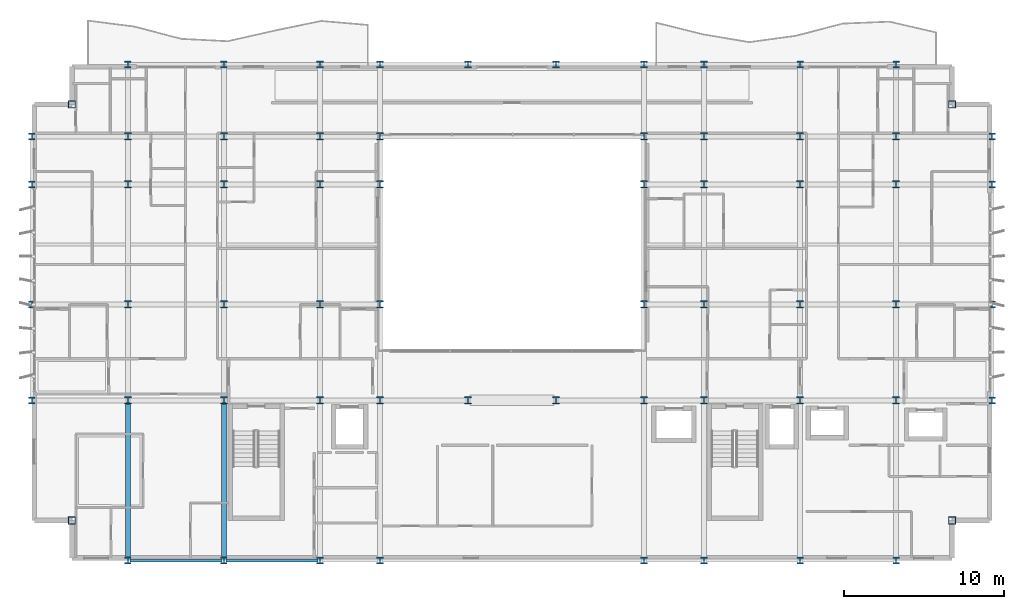
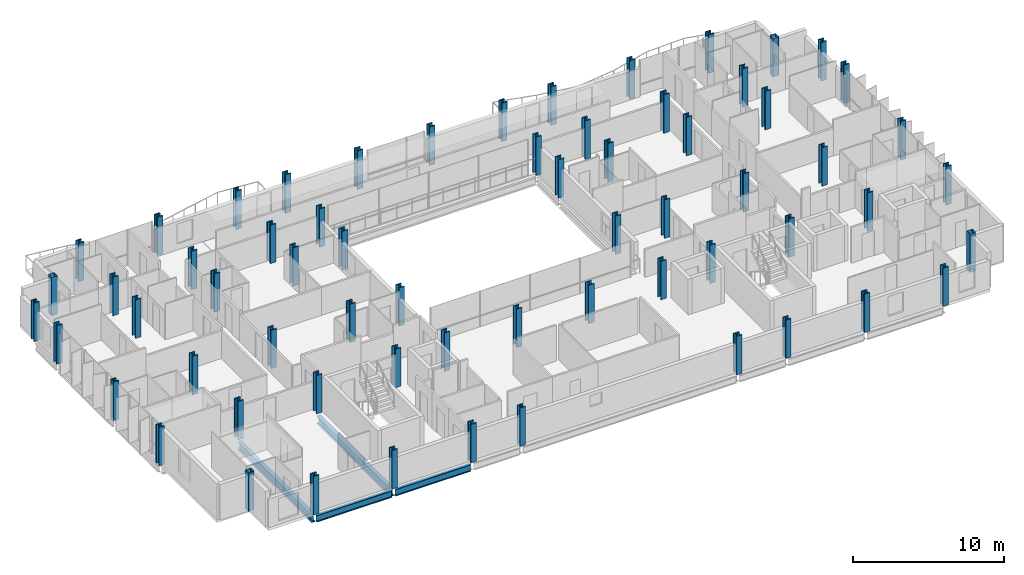
# One storey, part 1 of 38: 64 columns, 4 beams.
"""IFC4 building model written with IfcOpenShell, lengths in metres."""

from ifc_helpers import new_model, si_unit, direction, frame, origin, origin_2d, place, context, subcontext, project, spatial, hollow_rectangle, i_section, extrude, material, material_profile, profile_set, type_object, element, save


model = new_model("IFC4")

# Units and contexts
model_context = context("Model", 3, precision=1e-05, world=origin(), true_north=direction((0.0, 1.0)))
body_context = subcontext(model_context, "Body", "Model", "MODEL_VIEW")
ifc_project = project(units=[si_unit("LENGTHUNIT", "METRE"), si_unit("AREAUNIT", "SQUARE_METRE"), si_unit("VOLUMEUNIT", "CUBIC_METRE"), si_unit("PLANEANGLEUNIT", "RADIAN"), si_unit("MASSUNIT", "GRAM", prefix="KILO")], contexts=[model_context])

# Site, building, storey
site_placement = place(None, origin())
site = spatial("IfcSite", under=ifc_project, at=site_placement, CompositionType="ELEMENT")
building_placement = place(site_placement, origin())
building = spatial("IfcBuilding", under=site, at=building_placement, Name="Brevholm Reach", CompositionType="ELEMENT")
storey_placement = place(building_placement, frame((0.0, 0.0, 52.800048828125)))
storey = spatial("IfcBuildingStorey", under=building, at=storey_placement, Name="L14", CompositionType="ELEMENT", Elevation=52.800048828125)

# Columns
ifc_material_1 = material(Name="Structural Steel S460ML", Category="steel")
ifc_material_profile_1 = material_profile(ifc_material_1, i_section(OverallWidth=0.4140625, OverallDepth=0.444091796875, WebThickness=0.060546875, FlangeThickness=0.096923828125, FilletRadius=0.014892578125, at=origin_2d()), Name="HD 400x818")
ifc_profile_set_1 = profile_set([ifc_material_profile_1], Name="Structural Steel S460ML")
column_type_1 = type_object("IfcColumnType", Name="COL-HD2", PredefinedType="COLUMN", material=ifc_profile_set_1)
for number, where, z_axis, x_axis, name in (
    (1, (0.0, 10.0, 0.0), (0.0, 0.0, 1.0), (1.0, 0.0, 0.0), "L14 Column 01"),
    (2, (0.0, 16.0, 0.0), (0.0, 0.0, 1.0), (1.0, 0.0, 0.0), "L14 Column 02"),
    (3, (0.0, 23.5, 0.0), (0.0, 0.0, 1.0), (1.0, 0.0, 0.0), "L14 Column 03"),
    (4, (0.0, 26.5, 0.0), (0.0, 0.0, 1.0), (1.0, 0.0, 0.0), "L14 Column 04"),
    (5, (6.0, 0.0, 0.0), (0.0, 0.0, 1.0), (1.0, 0.0, 0.0), "L14 Column 07"),
    (6, (6.0, 31.0, 0.0), (0.0, 0.0, 1.0), (1.0, 0.0, 0.0), "L14 Column 12"),
    (7, (12.0, 0.0, 0.0), (0.0, 0.0, 1.0), (1.0, 0.0, 0.0), "L14 Column 13"),
    (8, (12.0, 31.0, 0.0), (0.0, 0.0, 1.0), (1.0, 0.0, 0.0), "L14 Column 18"),
    (9, (18.0, 0.0, 0.0), (0.0, 0.0, 1.0), (1.0, 0.0, 0.0), "L14 Column 19"),
    (10, (18.0, 31.0, 0.0), (0.0, 0.0, 1.0), (1.0, 0.0, 0.0), "L14 Column 24"),
    (11, (21.75, 0.0, 0.0), (0.0, 0.0, 1.0), (1.0, 0.0, 0.0), "L14 Column 25"),
    (12, (21.75, 31.0, 0.0), (0.0, 0.0, 1.0), (1.0, 0.0, 0.0), "L14 Column 30"),
    (13, (27.25, 31.0, 0.0), (0.0, 0.0, 1.0), (1.0, 0.0, 0.0), "L14 Column 32"),
    (14, (32.75, 31.0, 0.0), (0.0, 0.0, 1.0), (1.0, 0.0, 0.0), "L14 Column 34"),
    (15, (38.25, 0.0, 0.0), (0.0, 0.0, 1.0), (1.0, 0.0, 0.0), "L14 Column 35"),
    (16, (38.25, 31.0, 0.0), (0.0, 0.0, 1.0), (1.0, 0.0, 0.0), "L14 Column 40"),
    (17, (42.0, 0.0, 0.0), (0.0, 0.0, 1.0), (1.0, 0.0, 0.0), "L14 Column 41"),
    (18, (42.0, 31.0, 0.0), (0.0, 0.0, 1.0), (1.0, 0.0, 0.0), "L14 Column 46"),
    (19, (48.0, 0.0, 0.0), (0.0, 0.0, 1.0), (1.0, 0.0, 0.0), "L14 Column 47"),
    (20, (48.0, 31.0, 0.0), (0.0, 0.0, 1.0), (1.0, 0.0, 0.0), "L14 Column 52"),
    (21, (54.0, 0.0, 0.0), (0.0, 0.0, 1.0), (1.0, 0.0, 0.0), "L14 Column 53"),
    (22, (54.0, 31.0, 0.0), (0.0, 0.0, 1.0), (1.0, 0.0, 0.0), "L14 Column 58"),
    (23, (60.0, 10.0, 0.0), (0.0, 0.0, 1.0), (1.0, 0.0, 0.0), "L14 Column 61"),
    (24, (60.0, 16.0, 0.0), (0.0, 0.0, 1.0), (1.0, 0.0, 0.0), "L14 Column 62"),
    (25, (60.0, 23.5, 0.0), (0.0, 0.0, 1.0), (1.0, 0.0, 0.0), "L14 Column 63"),
    (26, (60.0, 26.5, 0.0), (0.0, 0.0, 1.0), (1.0, 0.0, 0.0), "L14 Column 64"),
):
    element("IfcColumn", number, at=place(storey_placement, frame(where, z_axis=z_axis, x_axis=x_axis)), inside=storey, type_object=column_type_1, Name=name, PredefinedType="COLUMN", context=body_context, shape_type="SweptSolid", body=[
        extrude(i_section(OverallWidth=0.4140625, OverallDepth=0.444091796875, WebThickness=0.060546875, FlangeThickness=0.096923828125, FilletRadius=0.014892578125, at=origin_2d()), origin(), (0.0, 0.0, 1.0), 3.099853515625),
    ])
ifc_material_2 = material(Name="Structural Steel S460NH", Category="steel")
ifc_material_profile_2 = material_profile(ifc_material_2, hollow_rectangle(XDim=0.449951171875, YDim=0.449951171875, WallThickness=0.02490234375, InnerFilletRadius=0.011962890625, OuterFilletRadius=0.02392578125, at=origin_2d()), Name="SHS 450x450x25")
ifc_profile_set_2 = profile_set([ifc_material_profile_2], Name="Structural Steel S460NH")
column_type_2 = type_object("IfcColumnType", Name="COL-SHS1", PredefinedType="COLUMN", material=ifc_profile_set_2)
for number, where, z_axis, x_axis, name in (
    (27, (2.5, 2.5, 0.0), (0.0, 0.0, 1.0), (1.0, 0.0, 0.0), "L14 Column 05"),
    (28, (2.5, 28.5, 0.0), (0.0, 0.0, 1.0), (1.0, 0.0, 0.0), "L14 Column 06"),
    (29, (57.5, 2.5, 0.0), (0.0, 0.0, 1.0), (1.0, 0.0, 0.0), "L14 Column 59"),
    (30, (57.5, 28.5, 0.0), (0.0, 0.0, 1.0), (1.0, 0.0, 0.0), "L14 Column 60"),
):
    element("IfcColumn", number, at=place(storey_placement, frame(where, z_axis=z_axis, x_axis=x_axis)), inside=storey, type_object=column_type_2, Name=name, PredefinedType="COLUMN", context=body_context, shape_type="SweptSolid", body=[
        extrude(hollow_rectangle(XDim=0.449951171875, YDim=0.449951171875, WallThickness=0.02490234375, InnerFilletRadius=0.011962890625, OuterFilletRadius=0.02392578125, at=origin_2d()), origin(), (0.0, 0.0, 1.0), 3.099853515625),
    ])
ifc_material_3 = material(Name="Structural Steel S460ML", Category="steel")
ifc_material_profile_3 = material_profile(ifc_material_3, i_section(OverallWidth=0.424072265625, OverallDepth=0.474609375, WebThickness=0.047607421875, FlangeThickness=0.076904296875, FilletRadius=0.01513671875, at=origin_2d()), Name="UKC 356x406x634")
ifc_profile_set_3 = profile_set([ifc_material_profile_3], Name="Structural Steel S460ML")
column_type_3 = type_object("IfcColumnType", Name="COL-UC1", PredefinedType="COLUMN", material=ifc_profile_set_3)
for number, where, z_axis, x_axis, name in (
    (31, (6.0, 10.0, 0.0), (0.0, 0.0, 1.0), (1.0, 0.0, 0.0), "L14 Column 08"),
    (32, (6.0, 16.0, 0.0), (0.0, 0.0, 1.0), (1.0, 0.0, 0.0), "L14 Column 09"),
    (33, (6.0, 23.5, 0.0), (0.0, 0.0, 1.0), (1.0, 0.0, 0.0), "L14 Column 10"),
    (34, (6.0, 26.5, 0.0), (0.0, 0.0, 1.0), (1.0, 0.0, 0.0), "L14 Column 11"),
    (35, (12.0, 10.0, 0.0), (0.0, 0.0, 1.0), (1.0, 0.0, 0.0), "L14 Column 14"),
    (36, (12.0, 16.0, 0.0), (0.0, 0.0, 1.0), (1.0, 0.0, 0.0), "L14 Column 15"),
    (37, (12.0, 23.5, 0.0), (0.0, 0.0, 1.0), (1.0, 0.0, 0.0), "L14 Column 16"),
    (38, (12.0, 26.5, 0.0), (0.0, 0.0, 1.0), (1.0, 0.0, 0.0), "L14 Column 17"),
    (39, (18.0, 10.0, 0.0), (0.0, 0.0, 1.0), (1.0, 0.0, 0.0), "L14 Column 20"),
    (40, (18.0, 16.0, 0.0), (0.0, 0.0, 1.0), (1.0, 0.0, 0.0), "L14 Column 21"),
    (41, (18.0, 23.5, 0.0), (0.0, 0.0, 1.0), (1.0, 0.0, 0.0), "L14 Column 22"),
    (42, (18.0, 26.5, 0.0), (0.0, 0.0, 1.0), (1.0, 0.0, 0.0), "L14 Column 23"),
    (43, (21.75, 10.0, 0.0), (0.0, 0.0, 1.0), (1.0, 0.0, 0.0), "L14 Column 26"),
    (44, (21.75, 16.0, 0.0), (0.0, 0.0, 1.0), (1.0, 0.0, 0.0), "L14 Column 27"),
    (45, (21.75, 23.5, 0.0), (0.0, 0.0, 1.0), (1.0, 0.0, 0.0), "L14 Column 28"),
    (46, (21.75, 26.5, 0.0), (0.0, 0.0, 1.0), (1.0, 0.0, 0.0), "L14 Column 29"),
    (47, (27.25, 10.0, 0.0), (0.0, 0.0, 1.0), (1.0, 0.0, 0.0), "L14 Column 31"),
    (48, (32.75, 10.0, 0.0), (0.0, 0.0, 1.0), (1.0, 0.0, 0.0), "L14 Column 33"),
    (49, (38.25, 10.0, 0.0), (0.0, 0.0, 1.0), (1.0, 0.0, 0.0), "L14 Column 36"),
    (50, (38.25, 16.0, 0.0), (0.0, 0.0, 1.0), (1.0, 0.0, 0.0), "L14 Column 37"),
    (51, (38.25, 23.5, 0.0), (0.0, 0.0, 1.0), (1.0, 0.0, 0.0), "L14 Column 38"),
    (52, (38.25, 26.5, 0.0), (0.0, 0.0, 1.0), (1.0, 0.0, 0.0), "L14 Column 39"),
    (53, (42.0, 10.0, 0.0), (0.0, 0.0, 1.0), (1.0, 0.0, 0.0), "L14 Column 42"),
    (54, (42.0, 16.0, 0.0), (0.0, 0.0, 1.0), (1.0, 0.0, 0.0), "L14 Column 43"),
    (55, (42.0, 23.5, 0.0), (0.0, 0.0, 1.0), (1.0, 0.0, 0.0), "L14 Column 44"),
    (56, (42.0, 26.5, 0.0), (0.0, 0.0, 1.0), (1.0, 0.0, 0.0), "L14 Column 45"),
    (57, (48.0, 10.0, 0.0), (0.0, 0.0, 1.0), (1.0, 0.0, 0.0), "L14 Column 48"),
    (58, (48.0, 16.0, 0.0), (0.0, 0.0, 1.0), (1.0, 0.0, 0.0), "L14 Column 49"),
    (59, (48.0, 23.5, 0.0), (0.0, 0.0, 1.0), (1.0, 0.0, 0.0), "L14 Column 50"),
    (60, (48.0, 26.5, 0.0), (0.0, 0.0, 1.0), (1.0, 0.0, 0.0), "L14 Column 51"),
    (61, (54.0, 10.0, 0.0), (0.0, 0.0, 1.0), (1.0, 0.0, 0.0), "L14 Column 54"),
    (62, (54.0, 16.0, 0.0), (0.0, 0.0, 1.0), (1.0, 0.0, 0.0), "L14 Column 55"),
    (63, (54.0, 23.5, 0.0), (0.0, 0.0, 1.0), (1.0, 0.0, 0.0), "L14 Column 56"),
    (64, (54.0, 26.5, 0.0), (0.0, 0.0, 1.0), (1.0, 0.0, 0.0), "L14 Column 57"),
):
    element("IfcColumn", number, at=place(storey_placement, frame(where, z_axis=z_axis, x_axis=x_axis)), inside=storey, type_object=column_type_3, Name=name, PredefinedType="COLUMN", context=body_context, shape_type="SweptSolid", body=[
        extrude(i_section(OverallWidth=0.424072265625, OverallDepth=0.474609375, WebThickness=0.047607421875, FlangeThickness=0.076904296875, FilletRadius=0.01513671875, at=origin_2d()), origin(), (0.0, 0.0, 1.0), 3.099853515625),
    ])

# Beams
ifc_material_4 = material(Name="Structural Steel S355J2", Category="steel")
ifc_material_profile_4 = material_profile(ifc_material_4, i_section(OverallWidth=0.210693359375, OverallDepth=0.53955078125, WebThickness=0.01171875, FlangeThickness=0.018798828125, FilletRadius=0.0126953125, at=origin_2d()), Name="UKB 533x210x109")
ifc_profile_set_4 = profile_set([ifc_material_profile_4], Name="Structural Steel S355J2")
beam_type_1 = type_object("IfcBeamType", Name="BM-SP539", PredefinedType="SPANDREL", material=ifc_profile_set_4)
for number, where, z_axis, x_axis, name in (
    (65, (6.1201171875, 0.0, -0.499755859375), (1.0, 0.0, 0.0), (0.0, 1.0, 0.0), "L14 SP-01B Framing Beam"),
    (66, (12.1201171875, 0.0, -0.499755859375), (1.0, 0.0, 0.0), (0.0, 1.0, 0.0), "L14 SP-01B Framing Beam"),
):
    element("IfcBeam", number, at=place(storey_placement, frame(where, z_axis=z_axis, x_axis=x_axis)), inside=storey, type_object=beam_type_1, Name=name, PredefinedType="SPANDREL", context=body_context, shape_type="SweptSolid", body=[
        extrude(i_section(OverallWidth=0.210693359375, OverallDepth=0.53955078125, WebThickness=0.01171875, FlangeThickness=0.018798828125, FilletRadius=0.0126953125, at=origin_2d()), origin(), (0.0, 0.0, 1.0), 5.759765625),
    ])
ifc_material_5 = material(Name="Structural Steel S355J2", Category="steel")
ifc_material_profile_5 = material_profile(ifc_material_5, i_section(OverallWidth=0.30712890625, OverallDepth=0.6201171875, WebThickness=0.01416015625, FlangeThickness=0.023681640625, FilletRadius=0.0166015625, at=origin_2d()), Name="UKB 610x305x179")
ifc_profile_set_5 = profile_set([ifc_material_profile_5], Name="Structural Steel S355J2")
beam_type_2 = type_object("IfcBeamType", Name="BM-UKB610H", PredefinedType="USERDEFINED", material=ifc_profile_set_5)
for number, where, z_axis, x_axis, name in (
    (67, (6.0, 0.1201171875, -0.5400390625), (0.0, 1.0, 0.0), (-1.0, 0.0, 0.0), "L14 G-06 Framing Beam"),
    (68, (12.0, 0.1201171875, -0.5400390625), (0.0, 1.0, 0.0), (-1.0, 0.0, 0.0), "L14 G-06 Framing Beam"),
):
    element("IfcBeam", number, at=place(storey_placement, frame(where, z_axis=z_axis, x_axis=x_axis)), inside=storey, type_object=beam_type_2, Name=name, ObjectType="GIRDER", PredefinedType="USERDEFINED", context=body_context, shape_type="SweptSolid", body=[
        extrude(i_section(OverallWidth=0.30712890625, OverallDepth=0.6201171875, WebThickness=0.01416015625, FlangeThickness=0.023681640625, FilletRadius=0.0166015625, at=origin_2d()), origin(), (0.0, 0.0, 1.0), 9.759765625),
    ])

save(model, "model.ifc")
